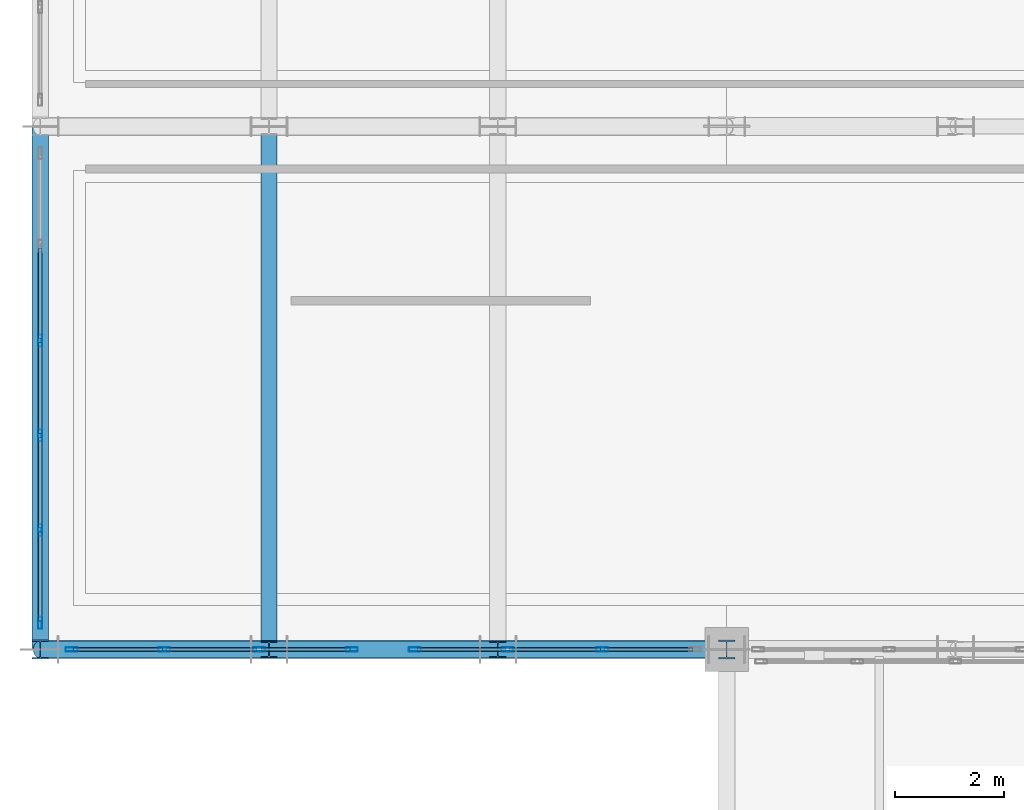
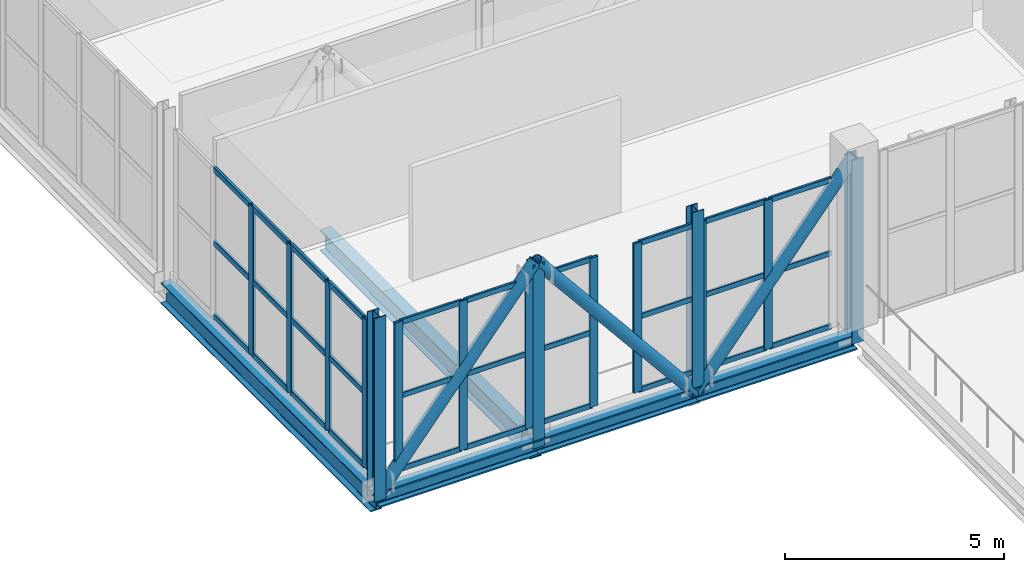
# One storey, part 2 of 77: 51 members, 2 beams, 3 elements without a shape of their own.
"""IFC4 building model written with IfcOpenShell, lengths in metres."""

from ifc_helpers import new_model, si_unit, direction, frame, origin, origin_2d, place, context, subcontext, project, spatial, hollow_rectangle, hollow_circle, i_section, extrude, material, layer, layer_set, material_profile, profile_set, type_object, element, aggregate, save


model = new_model("IFC4")

# Units and contexts
model_context = context("Model", 3, precision=1e-05, world=origin(), true_north=direction((0.0, 1.0)))
body_context = subcontext(model_context, "Body", "Model", "MODEL_VIEW")
ifc_project = project(units=[si_unit("LENGTHUNIT", "METRE"), si_unit("AREAUNIT", "SQUARE_METRE"), si_unit("VOLUMEUNIT", "CUBIC_METRE"), si_unit("PLANEANGLEUNIT", "RADIAN"), si_unit("MASSUNIT", "GRAM", prefix="KILO")], contexts=[model_context])

# Site, building, storey
site_placement = place(None, origin())
site = spatial("IfcSite", under=ifc_project, at=site_placement, CompositionType="ELEMENT")
building_placement = place(site_placement, origin())
building = spatial("IfcBuilding", under=site, at=building_placement, Name="Zulmaris Art Gallery", CompositionType="ELEMENT")
storey_placement = place(building_placement, frame((0.0, 0.0, 15.60009765625)))
storey = spatial("IfcBuildingStorey", under=building, at=storey_placement, Name="L03", CompositionType="ELEMENT", Elevation=15.60009765625)

# Beams
ifc_material_1 = material(Name="Steel S355J2", Category="steel")
ifc_material_profile_1 = material_profile(ifc_material_1, i_section(OverallWidth=0.300048828125, OverallDepth=0.590087890625, WebThickness=0.012939453125, FlangeThickness=0.02490234375, FilletRadius=0.027099609375, at=origin_2d()), Name="HEA 600")
ifc_profile_set_1 = profile_set([ifc_material_profile_1], Name="Steel S355J2")
beam_type = type_object("IfcBeamType", Name="BEAM-BM12", PredefinedType="BEAM", material=ifc_profile_set_1)
for number, where, z_axis, x_axis, name in (
    (1, (11.39990234375, 21.60009765625, -0.614990234375), (0.0, 1.0, 0.0), (-1.0, 0.0, 0.0), "L03 cantilever transverse girder at x=11.4"),
    (2, (15.60009765625, 21.60009765625, -0.614990234375), (0.0, 1.0, 0.0), (-1.0, 0.0, 0.0), "L03 cantilever transverse girder at x=15.6"),
):
    element("IfcBeam", number, at=place(storey_placement, frame(where, z_axis=z_axis, x_axis=x_axis)), inside=storey, type_object=beam_type, Name=name, PredefinedType="BEAM", context=body_context, shape_type="SweptSolid", body=[
        extrude(i_section(OverallWidth=0.300048828125, OverallDepth=0.590087890625, WebThickness=0.012939453125, FlangeThickness=0.02490234375, FilletRadius=0.027099609375, at=origin_2d()), origin(), (0.0, 0.0, 1.0), 9.599853515625),
    ])

# Curtain wall, members
ifc_material_2 = material(Name="Unitised Low-E Gallery Curtain Wall", Category="aluminium")
ifc_layer_1 = layer(ifc_material_2, 0.179931640625)
ifc_layer_set_1 = layer_set([ifc_layer_1], Name="Unitised Low-E Gallery Curtain Wall")
curtain_wall_type_1 = type_object("IfcCurtainWallType", Name="CW-CW01", PredefinedType="NOTDEFINED", material=ifc_layer_set_1)
curtain_wall_1_placement = place(storey_placement, origin())
curtain_wall_1 = element("IfcCurtainWall", 3, at=curtain_wall_1_placement, inside=storey, type_object=curtain_wall_type_1, Name="L03 curtain wall 1", PredefinedType="NOTDEFINED")
ifc_material_3 = material(Name="Anodised Bronze Aluminium", Category="aluminium")
ifc_material_profile_2 = material_profile(ifc_material_3, hollow_rectangle(XDim=0.074951171875, YDim=0.219970703125, WallThickness=0.0048828125, InnerFilletRadius=0.007568359375, OuterFilletRadius=0.012451171875, at=origin_2d()), Name="ALU 75x220x5")
ifc_profile_set_2 = profile_set([ifc_material_profile_2], Name="Anodised Bronze Aluminium")
member_type_1 = type_object("IfcMemberType", Name="CWMUL-02", PredefinedType="MULLION", material=ifc_profile_set_2)
member_1_placement = place(storey_placement, frame((11.9775390625, 21.60009765625, 0.0), z_axis=(0.0, 0.0, 1.0), x_axis=(0.0, 1.0, 0.0)))
member_1 = element("IfcMember", 4, at=member_1_placement, type_object=member_type_1, Name="CW01 mullion 1", PredefinedType="MULLION", context=body_context, shape_type="SweptSolid", body=[
    extrude(hollow_rectangle(XDim=0.074951171875, YDim=0.219970703125, WallThickness=0.0048828125, InnerFilletRadius=0.007568359375, OuterFilletRadius=0.012451171875, at=origin_2d()), origin(), (0.0, 0.0, 1.0), 4.159912109375),
])
member_2_placement = place(storey_placement, frame((13.679931640625, 21.60009765625, 0.0), z_axis=(0.0, 0.0, 1.0), x_axis=(0.0, 1.0, 0.0)))
member_2 = element("IfcMember", 5, at=member_2_placement, type_object=member_type_1, Name="CW01 mullion 2", PredefinedType="MULLION", context=body_context, shape_type="SweptSolid", body=[
    extrude(hollow_rectangle(XDim=0.074951171875, YDim=0.219970703125, WallThickness=0.0048828125, InnerFilletRadius=0.007568359375, OuterFilletRadius=0.012451171875, at=origin_2d()), origin(), (0.0, 0.0, 1.0), 4.159912109375),
])
member_3_placement = place(storey_placement, frame((15.419921875, 21.60009765625, 0.0), z_axis=(0.0, 0.0, 1.0), x_axis=(0.0, 1.0, 0.0)))
member_3 = element("IfcMember", 6, at=member_3_placement, type_object=member_type_1, Name="CW01 mullion 3", PredefinedType="MULLION", context=body_context, shape_type="SweptSolid", body=[
    extrude(hollow_rectangle(XDim=0.074951171875, YDim=0.219970703125, WallThickness=0.0048828125, InnerFilletRadius=0.007568359375, OuterFilletRadius=0.012451171875, at=origin_2d()), origin(), (0.0, 0.0, 1.0), 4.159912109375),
])
member_4_placement = place(storey_placement, frame((17.12255859375, 21.60009765625, 0.0), z_axis=(0.0, 0.0, 1.0), x_axis=(0.0, 1.0, 0.0)))
member_4 = element("IfcMember", 7, at=member_4_placement, type_object=member_type_1, Name="CW01 mullion 4", PredefinedType="MULLION", context=body_context, shape_type="SweptSolid", body=[
    extrude(hollow_rectangle(XDim=0.074951171875, YDim=0.219970703125, WallThickness=0.0048828125, InnerFilletRadius=0.007568359375, OuterFilletRadius=0.012451171875, at=origin_2d()), origin(), (0.0, 0.0, 1.0), 4.159912109375),
])

curtain_wall_2_placement = place(storey_placement, origin())
curtain_wall_2 = element("IfcCurtainWall", 8, at=curtain_wall_2_placement, inside=storey, type_object=curtain_wall_type_1, Name="L03 curtain wall 3", PredefinedType="NOTDEFINED")
member_5_placement = place(storey_placement, frame((18.277587890625, 21.60009765625, 0.0), z_axis=(0.0, 0.0, 1.0), x_axis=(0.0, 1.0, 0.0)))
member_5 = element("IfcMember", 9, at=member_5_placement, type_object=member_type_1, Name="CW01 mullion 1", PredefinedType="MULLION", context=body_context, shape_type="SweptSolid", body=[
    extrude(hollow_rectangle(XDim=0.074951171875, YDim=0.219970703125, WallThickness=0.0048828125, InnerFilletRadius=0.007568359375, OuterFilletRadius=0.012451171875, at=origin_2d()), origin(), (0.0, 0.0, 1.0), 4.159912109375),
])
member_6_placement = place(storey_placement, frame((19.97998046875, 21.60009765625, 0.0), z_axis=(0.0, 0.0, 1.0), x_axis=(0.0, 1.0, 0.0)))
member_6 = element("IfcMember", 10, at=member_6_placement, type_object=member_type_1, Name="CW01 mullion 2", PredefinedType="MULLION", context=body_context, shape_type="SweptSolid", body=[
    extrude(hollow_rectangle(XDim=0.074951171875, YDim=0.219970703125, WallThickness=0.0048828125, InnerFilletRadius=0.007568359375, OuterFilletRadius=0.012451171875, at=origin_2d()), origin(), (0.0, 0.0, 1.0), 4.159912109375),
])
member_7_placement = place(storey_placement, frame((21.719970703125, 21.60009765625, 0.0), z_axis=(0.0, 0.0, 1.0), x_axis=(0.0, 1.0, 0.0)))
member_7 = element("IfcMember", 11, at=member_7_placement, type_object=member_type_1, Name="CW01 mullion 3", PredefinedType="MULLION", context=body_context, shape_type="SweptSolid", body=[
    extrude(hollow_rectangle(XDim=0.074951171875, YDim=0.219970703125, WallThickness=0.0048828125, InnerFilletRadius=0.007568359375, OuterFilletRadius=0.012451171875, at=origin_2d()), origin(), (0.0, 0.0, 1.0), 4.159912109375),
])

ifc_material_4 = material(Name="Belvedere Horizon Glazed Curtain Wall", Category="aluminium")
ifc_layer_2 = layer(ifc_material_4, 0.179931640625)
ifc_layer_set_2 = layer_set([ifc_layer_2], Name="Belvedere Horizon Glazed Curtain Wall")
curtain_wall_type_2 = type_object("IfcCurtainWallType", Name="CW-CW02", PredefinedType="NOTDEFINED", material=ifc_layer_set_2)
curtain_wall_3_placement = place(storey_placement, origin())
curtain_wall_3 = element("IfcCurtainWall", 12, at=curtain_wall_3_placement, inside=storey, type_object=curtain_wall_type_2, Name="L03 curtain wall 16", PredefinedType="NOTDEFINED")
member_8_placement = place(storey_placement, frame((11.39990234375, 22.08740234375, 0.0), z_axis=(0.0, 0.0, 1.0), x_axis=(-1.0, 0.0, 0.0)))
member_8 = element("IfcMember", 13, at=member_8_placement, type_object=member_type_1, Name="CW02 mullion 1", PredefinedType="MULLION", context=body_context, shape_type="SweptSolid", body=[
    extrude(hollow_rectangle(XDim=0.074951171875, YDim=0.219970703125, WallThickness=0.0048828125, InnerFilletRadius=0.007568359375, OuterFilletRadius=0.012451171875, at=origin_2d()), origin(), (0.0, 0.0, 1.0), 4.159912109375),
])
member_9_placement = place(storey_placement, frame((11.39990234375, 23.7900390625, 0.0), z_axis=(0.0, 0.0, 1.0), x_axis=(-1.0, 0.0, 0.0)))
member_9 = element("IfcMember", 14, at=member_9_placement, type_object=member_type_1, Name="CW02 mullion 2", PredefinedType="MULLION", context=body_context, shape_type="SweptSolid", body=[
    extrude(hollow_rectangle(XDim=0.074951171875, YDim=0.219970703125, WallThickness=0.0048828125, InnerFilletRadius=0.007568359375, OuterFilletRadius=0.012451171875, at=origin_2d()), origin(), (0.0, 0.0, 1.0), 4.159912109375),
])
member_10_placement = place(storey_placement, frame((11.39990234375, 25.530029296875, 0.0), z_axis=(0.0, 0.0, 1.0), x_axis=(-1.0, 0.0, 0.0)))
member_10 = element("IfcMember", 15, at=member_10_placement, type_object=member_type_1, Name="CW02 mullion 3", PredefinedType="MULLION", context=body_context, shape_type="SweptSolid", body=[
    extrude(hollow_rectangle(XDim=0.074951171875, YDim=0.219970703125, WallThickness=0.0048828125, InnerFilletRadius=0.007568359375, OuterFilletRadius=0.012451171875, at=origin_2d()), origin(), (0.0, 0.0, 1.0), 4.159912109375),
])
member_11_placement = place(storey_placement, frame((11.39990234375, 27.27001953125, 0.0), z_axis=(0.0, 0.0, 1.0), x_axis=(-1.0, 0.0, 0.0)))
member_11 = element("IfcMember", 16, at=member_11_placement, type_object=member_type_1, Name="CW02 mullion 4", PredefinedType="MULLION", context=body_context, shape_type="SweptSolid", body=[
    extrude(hollow_rectangle(XDim=0.074951171875, YDim=0.219970703125, WallThickness=0.0048828125, InnerFilletRadius=0.007568359375, OuterFilletRadius=0.012451171875, at=origin_2d()), origin(), (0.0, 0.0, 1.0), 4.159912109375),
])

# Member
ifc_material_profile_3 = material_profile(ifc_material_3, hollow_rectangle(XDim=0.06494140625, YDim=0.14990234375, WallThickness=0.00390625, InnerFilletRadius=0.006103515625, OuterFilletRadius=0.010009765625, at=origin_2d()), Name="ALU 65x150x4")
ifc_profile_set_3 = profile_set([ifc_material_profile_3], Name="Anodised Bronze Aluminium")
member_type_2 = type_object("IfcMemberType", Name="CWTRN-01", PredefinedType="USERDEFINED", material=ifc_profile_set_3)
member_12_placement = place(storey_placement, frame((12.014892578125, 21.60009765625, 0.037353515625), z_axis=(1.0, 0.0, 0.0), x_axis=(0.0, 1.0, 0.0)))
member_12 = element("IfcMember", 17, at=member_12_placement, type_object=member_type_2, Name="CW01 transom 1.1", ObjectType="TRANSOM", PredefinedType="USERDEFINED", context=body_context, shape_type="SweptSolid", body=[
    extrude(hollow_rectangle(XDim=0.06494140625, YDim=0.14990234375, WallThickness=0.00390625, InnerFilletRadius=0.006103515625, OuterFilletRadius=0.010009765625, at=origin_2d()), origin(), (0.0, 0.0, 1.0), 1.627685546875),
])

member_13_placement = place(storey_placement, frame((12.014892578125, 21.60009765625, 2.079833984375), z_axis=(1.0, 0.0, 0.0), x_axis=(0.0, 1.0, 0.0)))
member_13 = element("IfcMember", 18, at=member_13_placement, type_object=member_type_2, Name="CW01 transom 1.2", ObjectType="TRANSOM", PredefinedType="USERDEFINED", context=body_context, shape_type="SweptSolid", body=[
    extrude(hollow_rectangle(XDim=0.06494140625, YDim=0.14990234375, WallThickness=0.00390625, InnerFilletRadius=0.006103515625, OuterFilletRadius=0.010009765625, at=origin_2d()), origin(), (0.0, 0.0, 1.0), 1.627685546875),
])

member_14_placement = place(storey_placement, frame((12.014892578125, 21.60009765625, 4.122314453125), z_axis=(1.0, 0.0, 0.0), x_axis=(0.0, 1.0, 0.0)))
member_14 = element("IfcMember", 19, at=member_14_placement, type_object=member_type_2, Name="CW01 transom 1.3", ObjectType="TRANSOM", PredefinedType="USERDEFINED", context=body_context, shape_type="SweptSolid", body=[
    extrude(hollow_rectangle(XDim=0.06494140625, YDim=0.14990234375, WallThickness=0.00390625, InnerFilletRadius=0.006103515625, OuterFilletRadius=0.010009765625, at=origin_2d()), origin(), (0.0, 0.0, 1.0), 1.627685546875),
])

member_15_placement = place(storey_placement, frame((13.717529296875, 21.60009765625, 0.037353515625), z_axis=(1.0, 0.0, 0.0), x_axis=(0.0, 1.0, 0.0)))
member_15 = element("IfcMember", 20, at=member_15_placement, type_object=member_type_2, Name="CW01 transom 2.1", ObjectType="TRANSOM", PredefinedType="USERDEFINED", context=body_context, shape_type="SweptSolid", body=[
    extrude(hollow_rectangle(XDim=0.06494140625, YDim=0.14990234375, WallThickness=0.00390625, InnerFilletRadius=0.006103515625, OuterFilletRadius=0.010009765625, at=origin_2d()), origin(), (0.0, 0.0, 1.0), 1.6650390625),
])

member_16_placement = place(storey_placement, frame((13.717529296875, 21.60009765625, 2.079833984375), z_axis=(1.0, 0.0, 0.0), x_axis=(0.0, 1.0, 0.0)))
member_16 = element("IfcMember", 21, at=member_16_placement, type_object=member_type_2, Name="CW01 transom 2.2", ObjectType="TRANSOM", PredefinedType="USERDEFINED", context=body_context, shape_type="SweptSolid", body=[
    extrude(hollow_rectangle(XDim=0.06494140625, YDim=0.14990234375, WallThickness=0.00390625, InnerFilletRadius=0.006103515625, OuterFilletRadius=0.010009765625, at=origin_2d()), origin(), (0.0, 0.0, 1.0), 1.6650390625),
])

member_17_placement = place(storey_placement, frame((13.717529296875, 21.60009765625, 4.122314453125), z_axis=(1.0, 0.0, 0.0), x_axis=(0.0, 1.0, 0.0)))
member_17 = element("IfcMember", 22, at=member_17_placement, type_object=member_type_2, Name="CW01 transom 2.3", ObjectType="TRANSOM", PredefinedType="USERDEFINED", context=body_context, shape_type="SweptSolid", body=[
    extrude(hollow_rectangle(XDim=0.06494140625, YDim=0.14990234375, WallThickness=0.00390625, InnerFilletRadius=0.006103515625, OuterFilletRadius=0.010009765625, at=origin_2d()), origin(), (0.0, 0.0, 1.0), 1.6650390625),
])

member_18_placement = place(storey_placement, frame((15.45751953125, 21.60009765625, 0.037353515625), z_axis=(1.0, 0.0, 0.0), x_axis=(0.0, 1.0, 0.0)))
member_18 = element("IfcMember", 23, at=member_18_placement, type_object=member_type_2, Name="CW01 transom 3.1", ObjectType="TRANSOM", PredefinedType="USERDEFINED", context=body_context, shape_type="SweptSolid", body=[
    extrude(hollow_rectangle(XDim=0.06494140625, YDim=0.14990234375, WallThickness=0.00390625, InnerFilletRadius=0.006103515625, OuterFilletRadius=0.010009765625, at=origin_2d()), origin(), (0.0, 0.0, 1.0), 1.62744140625),
])

member_19_placement = place(storey_placement, frame((15.45751953125, 21.60009765625, 2.079833984375), z_axis=(1.0, 0.0, 0.0), x_axis=(0.0, 1.0, 0.0)))
member_19 = element("IfcMember", 24, at=member_19_placement, type_object=member_type_2, Name="CW01 transom 3.2", ObjectType="TRANSOM", PredefinedType="USERDEFINED", context=body_context, shape_type="SweptSolid", body=[
    extrude(hollow_rectangle(XDim=0.06494140625, YDim=0.14990234375, WallThickness=0.00390625, InnerFilletRadius=0.006103515625, OuterFilletRadius=0.010009765625, at=origin_2d()), origin(), (0.0, 0.0, 1.0), 1.62744140625),
])

member_20_placement = place(storey_placement, frame((15.45751953125, 21.60009765625, 4.122314453125), z_axis=(1.0, 0.0, 0.0), x_axis=(0.0, 1.0, 0.0)))
member_20 = element("IfcMember", 25, at=member_20_placement, type_object=member_type_2, Name="CW01 transom 3.3", ObjectType="TRANSOM", PredefinedType="USERDEFINED", context=body_context, shape_type="SweptSolid", body=[
    extrude(hollow_rectangle(XDim=0.06494140625, YDim=0.14990234375, WallThickness=0.00390625, InnerFilletRadius=0.006103515625, OuterFilletRadius=0.010009765625, at=origin_2d()), origin(), (0.0, 0.0, 1.0), 1.62744140625),
])

aggregate(curtain_wall_1, [member_1, member_2, member_3, member_4, member_12, member_13, member_14, member_15, member_16, member_17, member_18, member_19, member_20])

member_21_placement = place(storey_placement, frame((18.31494140625, 21.60009765625, 0.037353515625), z_axis=(1.0, 0.0, 0.0), x_axis=(0.0, 1.0, 0.0)))
member_21 = element("IfcMember", 26, at=member_21_placement, type_object=member_type_2, Name="CW01 transom 1.1", ObjectType="TRANSOM", PredefinedType="USERDEFINED", context=body_context, shape_type="SweptSolid", body=[
    extrude(hollow_rectangle(XDim=0.06494140625, YDim=0.14990234375, WallThickness=0.00390625, InnerFilletRadius=0.006103515625, OuterFilletRadius=0.010009765625, at=origin_2d()), origin(), (0.0, 0.0, 1.0), 1.62744140625),
])

member_22_placement = place(storey_placement, frame((18.31494140625, 21.60009765625, 2.079833984375), z_axis=(1.0, 0.0, 0.0), x_axis=(0.0, 1.0, 0.0)))
member_22 = element("IfcMember", 27, at=member_22_placement, type_object=member_type_2, Name="CW01 transom 1.2", ObjectType="TRANSOM", PredefinedType="USERDEFINED", context=body_context, shape_type="SweptSolid", body=[
    extrude(hollow_rectangle(XDim=0.06494140625, YDim=0.14990234375, WallThickness=0.00390625, InnerFilletRadius=0.006103515625, OuterFilletRadius=0.010009765625, at=origin_2d()), origin(), (0.0, 0.0, 1.0), 1.62744140625),
])

member_23_placement = place(storey_placement, frame((18.31494140625, 21.60009765625, 4.122314453125), z_axis=(1.0, 0.0, 0.0), x_axis=(0.0, 1.0, 0.0)))
member_23 = element("IfcMember", 28, at=member_23_placement, type_object=member_type_2, Name="CW01 transom 1.3", ObjectType="TRANSOM", PredefinedType="USERDEFINED", context=body_context, shape_type="SweptSolid", body=[
    extrude(hollow_rectangle(XDim=0.06494140625, YDim=0.14990234375, WallThickness=0.00390625, InnerFilletRadius=0.006103515625, OuterFilletRadius=0.010009765625, at=origin_2d()), origin(), (0.0, 0.0, 1.0), 1.62744140625),
])

member_24_placement = place(storey_placement, frame((20.017578125, 21.60009765625, 0.037353515625), z_axis=(1.0, 0.0, 0.0), x_axis=(0.0, 1.0, 0.0)))
member_24 = element("IfcMember", 29, at=member_24_placement, type_object=member_type_2, Name="CW01 transom 2.1", ObjectType="TRANSOM", PredefinedType="USERDEFINED", context=body_context, shape_type="SweptSolid", body=[
    extrude(hollow_rectangle(XDim=0.06494140625, YDim=0.14990234375, WallThickness=0.00390625, InnerFilletRadius=0.006103515625, OuterFilletRadius=0.010009765625, at=origin_2d()), origin(), (0.0, 0.0, 1.0), 1.6650390625),
])

member_25_placement = place(storey_placement, frame((20.017578125, 21.60009765625, 2.079833984375), z_axis=(1.0, 0.0, 0.0), x_axis=(0.0, 1.0, 0.0)))
member_25 = element("IfcMember", 30, at=member_25_placement, type_object=member_type_2, Name="CW01 transom 2.2", ObjectType="TRANSOM", PredefinedType="USERDEFINED", context=body_context, shape_type="SweptSolid", body=[
    extrude(hollow_rectangle(XDim=0.06494140625, YDim=0.14990234375, WallThickness=0.00390625, InnerFilletRadius=0.006103515625, OuterFilletRadius=0.010009765625, at=origin_2d()), origin(), (0.0, 0.0, 1.0), 1.6650390625),
])

member_26_placement = place(storey_placement, frame((20.017578125, 21.60009765625, 4.122314453125), z_axis=(1.0, 0.0, 0.0), x_axis=(0.0, 1.0, 0.0)))
member_26 = element("IfcMember", 31, at=member_26_placement, type_object=member_type_2, Name="CW01 transom 2.3", ObjectType="TRANSOM", PredefinedType="USERDEFINED", context=body_context, shape_type="SweptSolid", body=[
    extrude(hollow_rectangle(XDim=0.06494140625, YDim=0.14990234375, WallThickness=0.00390625, InnerFilletRadius=0.006103515625, OuterFilletRadius=0.010009765625, at=origin_2d()), origin(), (0.0, 0.0, 1.0), 1.6650390625),
])

member_27_placement = place(storey_placement, frame((21.757568359375, 21.60009765625, 0.037353515625), z_axis=(1.0, 0.0, 0.0), x_axis=(0.0, 1.0, 0.0)))
member_27 = element("IfcMember", 32, at=member_27_placement, type_object=member_type_2, Name="CW01 transom 3.1", ObjectType="TRANSOM", PredefinedType="USERDEFINED", context=body_context, shape_type="SweptSolid", body=[
    extrude(hollow_rectangle(XDim=0.06494140625, YDim=0.14990234375, WallThickness=0.00390625, InnerFilletRadius=0.006103515625, OuterFilletRadius=0.010009765625, at=origin_2d()), origin(), (0.0, 0.0, 1.0), 1.62744140625),
])

member_28_placement = place(storey_placement, frame((21.757568359375, 21.60009765625, 2.079833984375), z_axis=(1.0, 0.0, 0.0), x_axis=(0.0, 1.0, 0.0)))
member_28 = element("IfcMember", 33, at=member_28_placement, type_object=member_type_2, Name="CW01 transom 3.2", ObjectType="TRANSOM", PredefinedType="USERDEFINED", context=body_context, shape_type="SweptSolid", body=[
    extrude(hollow_rectangle(XDim=0.06494140625, YDim=0.14990234375, WallThickness=0.00390625, InnerFilletRadius=0.006103515625, OuterFilletRadius=0.010009765625, at=origin_2d()), origin(), (0.0, 0.0, 1.0), 1.62744140625),
])

member_29_placement = place(storey_placement, frame((21.757568359375, 21.60009765625, 4.122314453125), z_axis=(1.0, 0.0, 0.0), x_axis=(0.0, 1.0, 0.0)))
member_29 = element("IfcMember", 34, at=member_29_placement, type_object=member_type_2, Name="CW01 transom 3.3", ObjectType="TRANSOM", PredefinedType="USERDEFINED", context=body_context, shape_type="SweptSolid", body=[
    extrude(hollow_rectangle(XDim=0.06494140625, YDim=0.14990234375, WallThickness=0.00390625, InnerFilletRadius=0.006103515625, OuterFilletRadius=0.010009765625, at=origin_2d()), origin(), (0.0, 0.0, 1.0), 1.62744140625),
])

aggregate(curtain_wall_2, [member_5, member_6, member_7, member_21, member_22, member_23, member_24, member_25, member_26, member_27, member_28, member_29])

ifc_material_profile_4 = material_profile(ifc_material_3, hollow_rectangle(XDim=0.074951171875, YDim=0.159912109375, WallThickness=0.00390625, InnerFilletRadius=0.006103515625, OuterFilletRadius=0.010009765625, at=origin_2d()), Name="ALU 75x160x4")
ifc_profile_set_4 = profile_set([ifc_material_profile_4], Name="Anodised Bronze Aluminium")
member_type_3 = type_object("IfcMemberType", Name="CWTRN-02", PredefinedType="USERDEFINED", material=ifc_profile_set_4)
member_30_placement = place(storey_placement, frame((11.39990234375, 22.125, 0.037353515625), z_axis=(0.0, 1.0, 0.0), x_axis=(-1.0, 0.0, 0.0)))
member_30 = element("IfcMember", 35, at=member_30_placement, type_object=member_type_3, Name="CW02 transom 1.1", ObjectType="TRANSOM", PredefinedType="USERDEFINED", context=body_context, shape_type="SweptSolid", body=[
    extrude(hollow_rectangle(XDim=0.074951171875, YDim=0.159912109375, WallThickness=0.00390625, InnerFilletRadius=0.006103515625, OuterFilletRadius=0.010009765625, at=origin_2d()), origin(), (0.0, 0.0, 1.0), 1.62744140625),
])

member_31_placement = place(storey_placement, frame((11.39990234375, 22.125, 2.079833984375), z_axis=(0.0, 1.0, 0.0), x_axis=(-1.0, 0.0, 0.0)))
member_31 = element("IfcMember", 36, at=member_31_placement, type_object=member_type_3, Name="CW02 transom 1.2", ObjectType="TRANSOM", PredefinedType="USERDEFINED", context=body_context, shape_type="SweptSolid", body=[
    extrude(hollow_rectangle(XDim=0.074951171875, YDim=0.159912109375, WallThickness=0.00390625, InnerFilletRadius=0.006103515625, OuterFilletRadius=0.010009765625, at=origin_2d()), origin(), (0.0, 0.0, 1.0), 1.62744140625),
])

member_32_placement = place(storey_placement, frame((11.39990234375, 22.125, 4.122314453125), z_axis=(0.0, 1.0, 0.0), x_axis=(-1.0, 0.0, 0.0)))
member_32 = element("IfcMember", 37, at=member_32_placement, type_object=member_type_3, Name="CW02 transom 1.3", ObjectType="TRANSOM", PredefinedType="USERDEFINED", context=body_context, shape_type="SweptSolid", body=[
    extrude(hollow_rectangle(XDim=0.074951171875, YDim=0.159912109375, WallThickness=0.00390625, InnerFilletRadius=0.006103515625, OuterFilletRadius=0.010009765625, at=origin_2d()), origin(), (0.0, 0.0, 1.0), 1.62744140625),
])

member_33_placement = place(storey_placement, frame((11.39990234375, 23.827392578125, 0.037353515625), z_axis=(0.0, 1.0, 0.0), x_axis=(-1.0, 0.0, 0.0)))
member_33 = element("IfcMember", 38, at=member_33_placement, type_object=member_type_3, Name="CW02 transom 2.1", ObjectType="TRANSOM", PredefinedType="USERDEFINED", context=body_context, shape_type="SweptSolid", body=[
    extrude(hollow_rectangle(XDim=0.074951171875, YDim=0.159912109375, WallThickness=0.00390625, InnerFilletRadius=0.006103515625, OuterFilletRadius=0.010009765625, at=origin_2d()), origin(), (0.0, 0.0, 1.0), 1.6650390625),
])

member_34_placement = place(storey_placement, frame((11.39990234375, 23.827392578125, 2.079833984375), z_axis=(0.0, 1.0, 0.0), x_axis=(-1.0, 0.0, 0.0)))
member_34 = element("IfcMember", 39, at=member_34_placement, type_object=member_type_3, Name="CW02 transom 2.2", ObjectType="TRANSOM", PredefinedType="USERDEFINED", context=body_context, shape_type="SweptSolid", body=[
    extrude(hollow_rectangle(XDim=0.074951171875, YDim=0.159912109375, WallThickness=0.00390625, InnerFilletRadius=0.006103515625, OuterFilletRadius=0.010009765625, at=origin_2d()), origin(), (0.0, 0.0, 1.0), 1.6650390625),
])

member_35_placement = place(storey_placement, frame((11.39990234375, 23.827392578125, 4.122314453125), z_axis=(0.0, 1.0, 0.0), x_axis=(-1.0, 0.0, 0.0)))
member_35 = element("IfcMember", 40, at=member_35_placement, type_object=member_type_3, Name="CW02 transom 2.3", ObjectType="TRANSOM", PredefinedType="USERDEFINED", context=body_context, shape_type="SweptSolid", body=[
    extrude(hollow_rectangle(XDim=0.074951171875, YDim=0.159912109375, WallThickness=0.00390625, InnerFilletRadius=0.006103515625, OuterFilletRadius=0.010009765625, at=origin_2d()), origin(), (0.0, 0.0, 1.0), 1.6650390625),
])

member_36_placement = place(storey_placement, frame((11.39990234375, 25.5673828125, 0.037353515625), z_axis=(0.0, 1.0, 0.0), x_axis=(-1.0, 0.0, 0.0)))
member_36 = element("IfcMember", 41, at=member_36_placement, type_object=member_type_3, Name="CW02 transom 3.1", ObjectType="TRANSOM", PredefinedType="USERDEFINED", context=body_context, shape_type="SweptSolid", body=[
    extrude(hollow_rectangle(XDim=0.074951171875, YDim=0.159912109375, WallThickness=0.00390625, InnerFilletRadius=0.006103515625, OuterFilletRadius=0.010009765625, at=origin_2d()), origin(), (0.0, 0.0, 1.0), 1.6650390625),
])

member_37_placement = place(storey_placement, frame((11.39990234375, 25.5673828125, 2.079833984375), z_axis=(0.0, 1.0, 0.0), x_axis=(-1.0, 0.0, 0.0)))
member_37 = element("IfcMember", 42, at=member_37_placement, type_object=member_type_3, Name="CW02 transom 3.2", ObjectType="TRANSOM", PredefinedType="USERDEFINED", context=body_context, shape_type="SweptSolid", body=[
    extrude(hollow_rectangle(XDim=0.074951171875, YDim=0.159912109375, WallThickness=0.00390625, InnerFilletRadius=0.006103515625, OuterFilletRadius=0.010009765625, at=origin_2d()), origin(), (0.0, 0.0, 1.0), 1.6650390625),
])

member_38_placement = place(storey_placement, frame((11.39990234375, 25.5673828125, 4.122314453125), z_axis=(0.0, 1.0, 0.0), x_axis=(-1.0, 0.0, 0.0)))
member_38 = element("IfcMember", 43, at=member_38_placement, type_object=member_type_3, Name="CW02 transom 3.3", ObjectType="TRANSOM", PredefinedType="USERDEFINED", context=body_context, shape_type="SweptSolid", body=[
    extrude(hollow_rectangle(XDim=0.074951171875, YDim=0.159912109375, WallThickness=0.00390625, InnerFilletRadius=0.006103515625, OuterFilletRadius=0.010009765625, at=origin_2d()), origin(), (0.0, 0.0, 1.0), 1.6650390625),
])

member_39_placement = place(storey_placement, frame((11.39990234375, 27.3076171875, 0.037353515625), z_axis=(0.0, 1.0, 0.0), x_axis=(-1.0, 0.0, 0.0)))
member_39 = element("IfcMember", 44, at=member_39_placement, type_object=member_type_3, Name="CW02 transom 4.1", ObjectType="TRANSOM", PredefinedType="USERDEFINED", context=body_context, shape_type="SweptSolid", body=[
    extrude(hollow_rectangle(XDim=0.074951171875, YDim=0.159912109375, WallThickness=0.00390625, InnerFilletRadius=0.006103515625, OuterFilletRadius=0.010009765625, at=origin_2d()), origin(), (0.0, 0.0, 1.0), 1.664794921875),
])

member_40_placement = place(storey_placement, frame((11.39990234375, 27.3076171875, 2.079833984375), z_axis=(0.0, 1.0, 0.0), x_axis=(-1.0, 0.0, 0.0)))
member_40 = element("IfcMember", 45, at=member_40_placement, type_object=member_type_3, Name="CW02 transom 4.2", ObjectType="TRANSOM", PredefinedType="USERDEFINED", context=body_context, shape_type="SweptSolid", body=[
    extrude(hollow_rectangle(XDim=0.074951171875, YDim=0.159912109375, WallThickness=0.00390625, InnerFilletRadius=0.006103515625, OuterFilletRadius=0.010009765625, at=origin_2d()), origin(), (0.0, 0.0, 1.0), 1.664794921875),
])

member_41_placement = place(storey_placement, frame((11.39990234375, 27.3076171875, 4.122314453125), z_axis=(0.0, 1.0, 0.0), x_axis=(-1.0, 0.0, 0.0)))
member_41 = element("IfcMember", 46, at=member_41_placement, type_object=member_type_3, Name="CW02 transom 4.3", ObjectType="TRANSOM", PredefinedType="USERDEFINED", context=body_context, shape_type="SweptSolid", body=[
    extrude(hollow_rectangle(XDim=0.074951171875, YDim=0.159912109375, WallThickness=0.00390625, InnerFilletRadius=0.006103515625, OuterFilletRadius=0.010009765625, at=origin_2d()), origin(), (0.0, 0.0, 1.0), 1.664794921875),
])

aggregate(curtain_wall_3, [member_8, member_9, member_10, member_11, member_30, member_31, member_32, member_33, member_34, member_35, member_36, member_37, member_38, member_39, member_40, member_41])

# Members
ifc_material_5 = material(Name="Steel S355J2H", Category="steel")
ifc_material_profile_5 = material_profile(ifc_material_5, hollow_circle(Radius=0.161865234375, WallThickness=0.01611328125, at=origin_2d()), Name="CHS 323.9x16")
ifc_profile_set_5 = profile_set([ifc_material_profile_5], Name="Steel S355J2H")
member_type_4 = type_object("IfcMemberType", Name="MEM-TB04", PredefinedType="BRACE", material=ifc_profile_set_5)
member_42_placement = place(storey_placement, frame((11.39990234375, 21.60009765625, -0.5361328125), z_axis=(0.634341472612, 0.0, 0.773052971099), x_axis=(0.0, 1.0, 0.0)))
element("IfcMember", 47, at=member_42_placement, inside=storey, type_object=member_type_4, Name="Cantilever truss TR-C1 diagonal 1", PredefinedType="BRACE", context=body_context, shape_type="SweptSolid", body=[
    extrude(hollow_circle(Radius=0.161865234375, WallThickness=0.01611328125, at=origin_2d()), origin(), (0.0, 0.0, 1.0), 6.621337890625),
])
for number, where, z_axis, x_axis, name in (
    (48, (15.60009765625, 21.60009765625, 4.58251953125), (0.634319436883, 0.0, -0.773071052357), (0.0, 1.0, 0.0), "Cantilever truss TR-C1 diagonal 2"),
    (49, (19.800048828125, 21.60009765625, -0.5361328125), (0.634319436883, 0.0, 0.773071052357), (0.0, 1.0, 0.0), "Cantilever truss TR-C1 diagonal 3"),
):
    element("IfcMember", number, at=place(storey_placement, frame(where, z_axis=z_axis, x_axis=x_axis)), inside=storey, type_object=member_type_4, Name=name, PredefinedType="BRACE", context=body_context, shape_type="SweptSolid", body=[
        extrude(hollow_circle(Radius=0.161865234375, WallThickness=0.01611328125, at=origin_2d()), origin(), (0.0, 0.0, 1.0), 6.62109375),
    ])
ifc_material_profile_6 = material_profile(ifc_material_1, i_section(OverallWidth=0.306884765625, OverallDepth=0.431884765625, WebThickness=0.02099609375, FlangeThickness=0.0400390625, FilletRadius=0.027099609375, at=origin_2d()), Name="HEM 400")
ifc_profile_set_6 = profile_set([ifc_material_profile_6], Name="Steel S355J2")
member_type_5 = type_object("IfcMemberType", Name="MEM-TC05", PredefinedType="CHORD", material=ifc_profile_set_6)
member_43_placement = place(storey_placement, frame((11.39990234375, 21.60009765625, -0.5361328125), z_axis=(1.0, 0.0, 0.0), x_axis=(0.0, 1.0, 0.0)))
element("IfcMember", 50, at=member_43_placement, inside=storey, type_object=member_type_5, Name="Cantilever truss TR-C1 bottom chord 1", PredefinedType="CHORD", context=body_context, shape_type="SweptSolid", body=[
    extrude(i_section(OverallWidth=0.306884765625, OverallDepth=0.431884765625, WebThickness=0.02099609375, FlangeThickness=0.0400390625, FilletRadius=0.027099609375, at=origin_2d()), origin(), (0.0, 0.0, 1.0), 4.2001953125),
])
for number, where, z_axis, x_axis, name in (
    (51, (15.60009765625, 21.60009765625, -0.5361328125), (1.0, 0.0, 0.0), (0.0, 1.0, 0.0), "Cantilever truss TR-C1 bottom chord 2"),
    (52, (19.800048828125, 21.60009765625, -0.5361328125), (1.0, 0.0, 0.0), (0.0, 1.0, 0.0), "Cantilever truss TR-C1 bottom chord 3"),
):
    element("IfcMember", number, at=place(storey_placement, frame(where, z_axis=z_axis, x_axis=x_axis)), inside=storey, type_object=member_type_5, Name=name, PredefinedType="CHORD", context=body_context, shape_type="SweptSolid", body=[
        extrude(i_section(OverallWidth=0.306884765625, OverallDepth=0.431884765625, WebThickness=0.02099609375, FlangeThickness=0.0400390625, FilletRadius=0.027099609375, at=origin_2d()), origin(), (0.0, 0.0, 1.0), 4.199951171875),
    ])
ifc_material_profile_7 = material_profile(ifc_material_1, i_section(OverallWidth=0.300048828125, OverallDepth=0.300048828125, WebThickness=0.010986328125, FlangeThickness=0.01904296875, FilletRadius=0.027099609375, at=origin_2d()), Name="HEB 300")
ifc_profile_set_7 = profile_set([ifc_material_profile_7], Name="Steel S355J2")
member_type_6 = type_object("IfcMemberType", Name="MEM-TP03", PredefinedType="POST", material=ifc_profile_set_7)
for number, where, z_axis, x_axis, name in (
    (53, (15.60009765625, 21.60009765625, -0.5361328125), (0.0, 0.0, 1.0), (1.0, 0.0, 0.0), "Cantilever truss TR-C1 post 2"),
    (54, (19.800048828125, 21.60009765625, -0.5361328125), (0.0, 0.0, 1.0), (1.0, 0.0, 0.0), "Cantilever truss TR-C1 post 3"),
):
    element("IfcMember", number, at=place(storey_placement, frame(where, z_axis=z_axis, x_axis=x_axis)), inside=storey, type_object=member_type_6, Name=name, PredefinedType="POST", context=body_context, shape_type="SweptSolid", body=[
        extrude(i_section(OverallWidth=0.300048828125, OverallDepth=0.300048828125, WebThickness=0.010986328125, FlangeThickness=0.01904296875, FilletRadius=0.027099609375, at=origin_2d()), origin(), (0.0, 0.0, 1.0), 5.11865234375),
    ])
ifc_material_profile_8 = material_profile(ifc_material_1, i_section(OverallWidth=0.300048828125, OverallDepth=0.340087890625, WebThickness=0.011962890625, FlangeThickness=0.021484375, FilletRadius=0.027099609375, at=origin_2d()), Name="HEB 340")
ifc_profile_set_8 = profile_set([ifc_material_profile_8], Name="Steel S355J2")
member_type_7 = type_object("IfcMemberType", Name="MEM-TP04", PredefinedType="POST", material=ifc_profile_set_8)
member_44_placement = place(storey_placement, frame((11.39990234375, 21.60009765625, -0.5361328125), z_axis=(0.0, 0.0, 1.0), x_axis=(1.0, 0.0, 0.0)))
element("IfcMember", 55, at=member_44_placement, inside=storey, type_object=member_type_7, Name="Cantilever truss TR-C1 post 1", PredefinedType="POST", context=body_context, shape_type="SweptSolid", body=[
    extrude(i_section(OverallWidth=0.300048828125, OverallDepth=0.340087890625, WebThickness=0.011962890625, FlangeThickness=0.021484375, FilletRadius=0.027099609375, at=origin_2d()), origin(), (0.0, 0.0, 1.0), 5.11865234375),
])
member_45_placement = place(storey_placement, frame((24.0, 21.60009765625, -0.550048828125), z_axis=(0.0, 0.0, 1.0), x_axis=(1.0, 0.0, 0.0)))
element("IfcMember", 56, at=member_45_placement, inside=storey, type_object=member_type_7, Name="Cantilever truss TR-C1 post 4", PredefinedType="POST", context=body_context, shape_type="SweptSolid", body=[
    extrude(i_section(OverallWidth=0.300048828125, OverallDepth=0.340087890625, WebThickness=0.011962890625, FlangeThickness=0.021484375, FilletRadius=0.027099609375, at=origin_2d()), origin(), (0.0, 0.0, 1.0), 5.132568359375),
])

save(model, "model.ifc")
